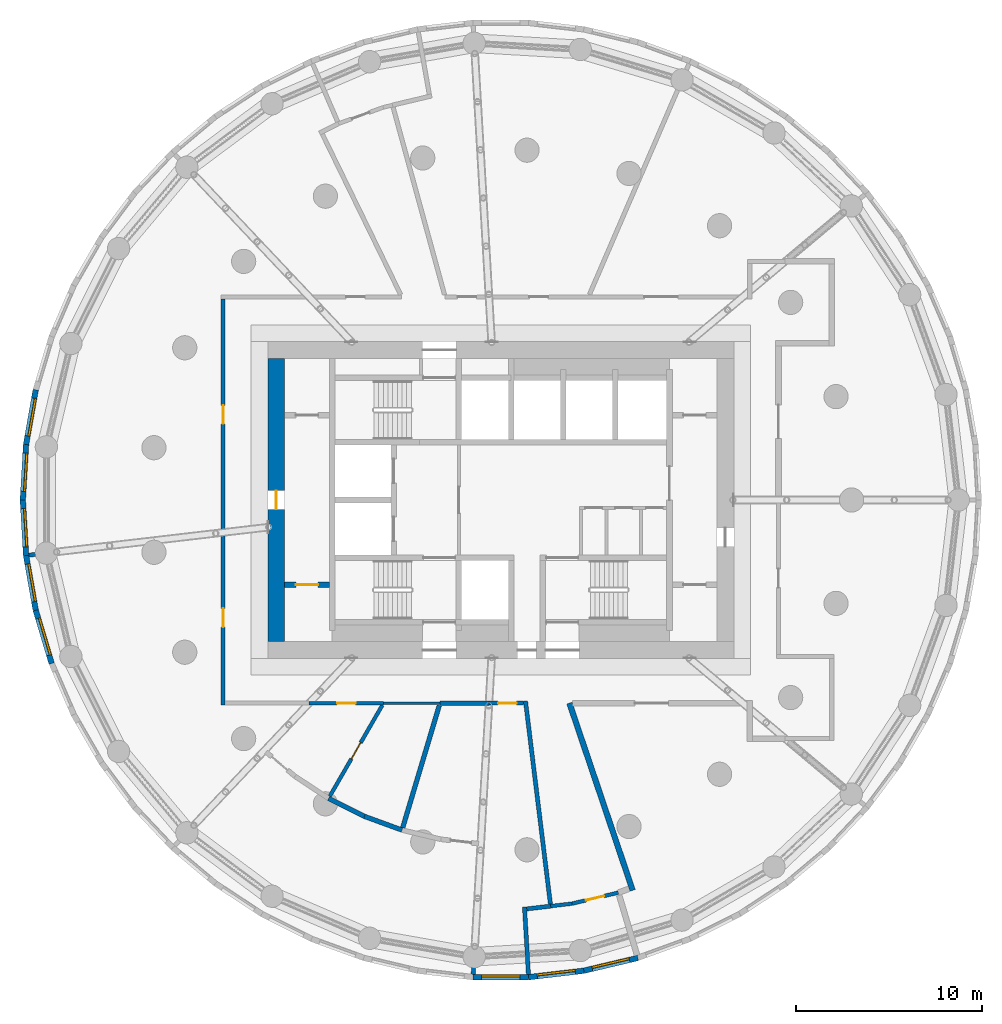
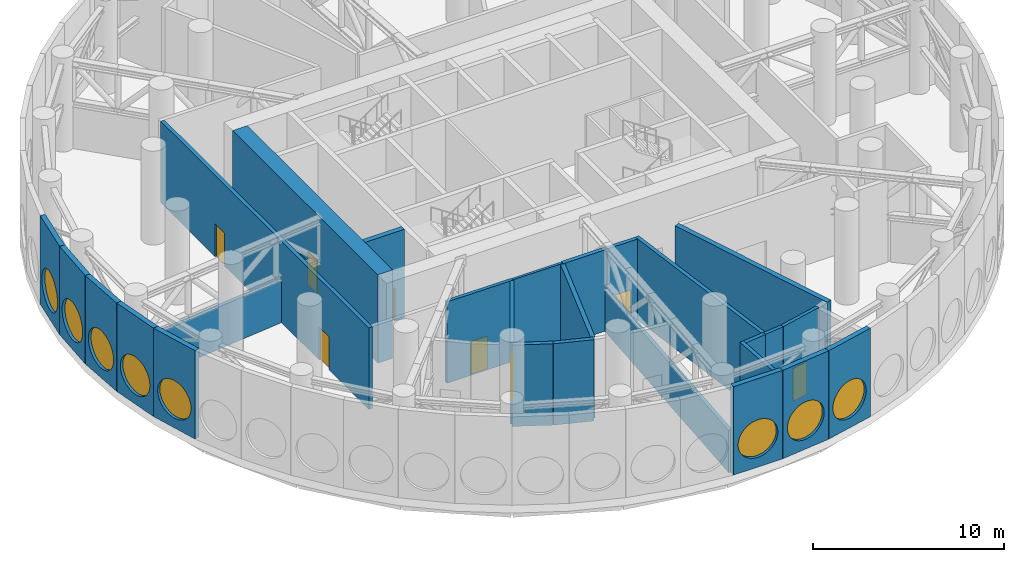
# One storey, part 8 of 15: 27 walls, 8 doors, 8 windows, 16 openings.
"""IFC4 building model written with IfcOpenShell, lengths in metres."""

from ifc_helpers import new_model, si_unit, direction, frame, frame_2d, origin, origin_2d, place, context, subcontext, project, spatial, rectangle, circle, extrude, material, layer, layer_set, type_object, element, fill, save


model = new_model("IFC4")

# Units and contexts
model_context = context("Model", 3, precision=1e-05, world=origin(), true_north=direction((0.0, 1.0)))
body_context = subcontext(model_context, "Body", "Model", "MODEL_VIEW")
ifc_project = project(units=[si_unit("LENGTHUNIT", "METRE"), si_unit("AREAUNIT", "SQUARE_METRE"), si_unit("VOLUMEUNIT", "CUBIC_METRE"), si_unit("PLANEANGLEUNIT", "RADIAN"), si_unit("MASSUNIT", "GRAM", prefix="KILO")], contexts=[model_context])

# Site, building, storey
site_placement = place(None, origin())
site = spatial("IfcSite", under=ifc_project, at=site_placement, CompositionType="ELEMENT")
building_placement = place(site_placement, origin())
building = spatial("IfcBuilding", under=site, at=building_placement, Name="Tracery Tower", CompositionType="ELEMENT")
storey_placement = place(building_placement, frame((0.0, 0.0, 225.0)))
storey = spatial("IfcBuildingStorey", under=building, at=storey_placement, Name="L58 Plant", CompositionType="ELEMENT", Elevation=225.0)

# Wall, opening, door
ifc_material_1 = material(Name="Concrete C50/60", Category="concrete")
ifc_layer_1 = layer(ifc_material_1, 0.89990234375)
ifc_layer_set_1 = layer_set([ifc_layer_1], Name="Core wall 900 C50")
wall_type_1 = type_object("IfcWallType", Name="Core wall 900 C50", PredefinedType="SOLIDWALL", material=ifc_layer_set_1)
wall_1_placement = place(storey_placement, frame((-12.050048828125, -7.60009765625, 0.0), z_axis=(0.0, 0.0, 1.0), x_axis=(0.0, 1.0, 0.0)))
wall_1 = element("IfcWall", 1, at=wall_1_placement, inside=storey, type_object=wall_type_1, Name="L58 Plant outer W", PredefinedType="SOLIDWALL", context=body_context, shape_type="SweptSolid", body=[
    extrude(rectangle(XDim=15.2001953125, YDim=0.89990234375, at=frame_2d((7.60009765625, 0.0))), origin(), (0.0, 0.0, 1.0), 5.64990234375),
])
opening_1_placement = place(wall_1_placement, frame((7.10009765625, 0.0, 0.0)))
opening_1 = element("IfcOpeningElement", 2, at=opening_1_placement, cuts=wall_1, Name="Opening KD18", PredefinedType="OPENING", context=body_context, shape_type="SweptSolid", body=[
    extrude(rectangle(XDim=1.0, YDim=2.10009765625, at=frame_2d((0.5, 1.050048828125))), frame((0.0, 0.449951171875, 0.0), z_axis=(0.0, -1.0, 0.0), x_axis=(1.0, 0.0, 0.0)), (0.0, 0.0, 1.0), 0.89990234375),
])
ifc_material_2 = material(Name="Steel fire door", Category="steel")
door_type_1 = type_object("IfcDoorType", Name="Core exit door 1000", OperationType="NOTDEFINED", PredefinedType="DOOR", material=ifc_material_2)
door_1_placement = place(opening_1_placement, origin())
door_1 = element("IfcDoor", 3, at=door_1_placement, inside=storey, type_object=door_type_1, Name="Core exit door", OperationType="DOUBLE_DOOR_SINGLE_SWING", OverallHeight=2.10009765625, OverallWidth=1.0, PredefinedType="DOOR", context=body_context, shape_type="SweptSolid", body=[
    extrude(rectangle(XDim=1.0, YDim=2.10009765625, at=frame_2d((0.5, 1.050048828125))), frame((0.0, 0.02490234375, 0.0), z_axis=(0.0, -1.0, 0.0), x_axis=(1.0, 0.0, 0.0)), (0.0, 0.0, 1.0), 0.050048828125),
])
fill(opening_1, door_1)

# Wall
ifc_material_3 = material(Name="Plasterboard on steel studs", Category="steel")
ifc_layer_2 = layer(ifc_material_3, 0.14990234375)
ifc_layer_set_2 = layer_set([ifc_layer_2], Name="Corridor partition 150")
wall_type_2 = type_object("IfcWallType", Name="Corridor partition 150", PredefinedType="PARTITIONING", material=ifc_layer_set_2)
wall_2_placement = place(storey_placement, frame((-6.293212890625, -10.89990234375, 0.0), z_axis=(0.0, 0.0, 1.0), x_axis=(1.0, 0.0, 0.0)))
element("IfcWall", 4, at=wall_2_placement, inside=storey, type_object=wall_type_2, Name="Corridor partition 150", PredefinedType="PARTITIONING", context=body_context, shape_type="SweptSolid", body=[
    extrude(rectangle(XDim=3.030029296875, YDim=0.14990234375, at=frame_2d((1.51513671875, 0.0))), origin(), (0.0, 0.0, 1.0), 5.199951171875),
])

# Wall, opening, door
ifc_material_4 = material(Name="Concrete blockwork", Category="masonry")
ifc_layer_3 = layer(ifc_material_4, 0.199951171875)
ifc_layer_set_3 = layer_set([ifc_layer_3], Name="Fire lobby wall 200")
wall_type_3 = type_object("IfcWallType", Name="Fire lobby wall 200", PredefinedType="PARTITIONING", material=ifc_layer_set_3)
wall_3_placement = place(storey_placement, frame((-10.28369140625, -10.89990234375, 0.0), z_axis=(0.0, 0.0, 1.0), x_axis=(1.0, 0.0, 0.0)))
wall_3 = element("IfcWall", 5, at=wall_3_placement, inside=storey, type_object=wall_type_3, Name="Fire lobby wall 200", PredefinedType="PARTITIONING", context=body_context, shape_type="SweptSolid", body=[
    extrude(rectangle(XDim=3.990478515625, YDim=0.199951171875, at=frame_2d((1.9951171875, 0.0))), origin(), (0.0, 0.0, 1.0), 5.199951171875),
])
opening_2_placement = place(wall_3_placement, frame((1.495361328125, 0.0, 0.0)))
opening_2 = element("IfcOpeningElement", 6, at=opening_2_placement, cuts=wall_3, Name="Opening SB-P58-13", PredefinedType="OPENING", context=body_context, shape_type="SweptSolid", body=[
    extrude(rectangle(XDim=1.0, YDim=2.10009765625, at=frame_2d((0.5, 1.050048828125))), frame((0.0, 0.10009765625, 0.0), z_axis=(0.0, -1.0, 0.0), x_axis=(1.0, 0.0, 0.0)), (0.0, 0.0, 1.0), 0.199951171875),
])
ifc_material_5 = material(Name="Steel fire door", Category="steel")
door_type_2 = type_object("IfcDoorType", Name="Fire lobby door 1000", OperationType="NOTDEFINED", PredefinedType="DOOR", material=ifc_material_5)
door_2_placement = place(opening_2_placement, origin())
door_2 = element("IfcDoor", 7, at=door_2_placement, inside=storey, type_object=door_type_2, Name="Fire lobby door 1000", OperationType="SINGLE_SWING_LEFT", OverallHeight=2.10009765625, OverallWidth=1.0, PredefinedType="DOOR", context=body_context, shape_type="SweptSolid", body=[
    extrude(rectangle(XDim=1.0, YDim=2.10009765625, at=frame_2d((0.5, 1.050048828125))), frame((0.0, 0.02490234375, 0.0), z_axis=(0.0, -1.0, 0.0), x_axis=(1.0, 0.0, 0.0)), (0.0, 0.0, 1.0), 0.050048828125),
])
fill(opening_2, door_2)

wall_4_placement = place(storey_placement, frame((-6.350830078125, -11.0, 0.0), z_axis=(0.0, 0.0, 1.0), x_axis=(-0.500013765421, -0.866017456169, 0.0)))
wall_4 = element("IfcWall", 8, at=wall_4_placement, inside=storey, type_object=wall_type_3, Name="Fire lobby wall 200", PredefinedType="PARTITIONING", context=body_context, shape_type="SweptSolid", body=[
    extrude(rectangle(XDim=5.658447265625, YDim=0.199951171875, at=frame_2d((2.8291015625, 0.0))), origin(), (0.0, 0.0, 1.0), 5.199951171875),
])
opening_3_placement = place(wall_4_placement, frame((2.333984375, 0.0, 0.0)))
opening_3 = element("IfcOpeningElement", 9, at=opening_3_placement, cuts=wall_4, Name="Opening SB-P58-16", PredefinedType="OPENING", context=body_context, shape_type="SweptSolid", body=[
    extrude(rectangle(XDim=1.0, YDim=2.10009765625, at=frame_2d((0.5, 1.050048828125))), frame((0.0, 0.10009765625, 0.0), z_axis=(0.0, -1.0, 0.0), x_axis=(1.0, 0.0, 0.0)), (0.0, 0.0, 1.0), 0.199951171875),
])
ifc_material_6 = material(Name="Timber door leaf", Category="wood")
door_type_3 = type_object("IfcDoorType", Name="Accessible toilet door 1000", OperationType="NOTDEFINED", PredefinedType="DOOR", material=ifc_material_6)
door_3_placement = place(opening_3_placement, origin())
door_3 = element("IfcDoor", 10, at=door_3_placement, inside=storey, type_object=door_type_3, Name="Accessible toilet door 1000", OperationType="SINGLE_SWING_RIGHT", OverallHeight=2.10009765625, OverallWidth=1.0, PredefinedType="DOOR", context=body_context, shape_type="SweptSolid", body=[
    extrude(rectangle(XDim=1.0, YDim=2.10009765625, at=frame_2d((0.5, 1.050048828125))), frame((0.0, 0.02490234375, 0.0), z_axis=(0.0, -1.0, 0.0), x_axis=(1.0, 0.0, 0.0)), (0.0, 0.0, 1.0), 0.050048828125),
])
fill(opening_3, door_3)

# Wall
wall_5_placement = place(storey_placement, frame((2.67578125, -21.790771484375, 0.0), z_axis=(0.0, 0.0, 1.0), x_axis=(0.99324154859, 0.116065611425, 0.0)))
element("IfcWall", 11, at=wall_5_placement, inside=storey, type_object=wall_type_3, Name="Fire lobby wall 200", PredefinedType="PARTITIONING", context=body_context, shape_type="SweptSolid", body=[
    extrude(rectangle(XDim=1.150634765625, YDim=0.199951171875, at=frame_2d((0.5751953125, 0.0))), origin(), (0.0, 0.0, 1.0), 5.199951171875),
])

# Wall, opening, door
wall_6_placement = place(storey_placement, frame((6.30712890625, -21.0673828125, 0.0), z_axis=(0.0, 0.0, 1.0), x_axis=(-0.973040272851, -0.230635269225, 0.0)))
wall_6 = element("IfcWall", 12, at=wall_6_placement, inside=storey, type_object=wall_type_3, Name="Fire lobby wall 200", PredefinedType="PARTITIONING", context=body_context, shape_type="SweptSolid", body=[
    extrude(rectangle(XDim=2.557373046875, YDim=0.199951171875, at=frame_2d((1.27880859375, 0.0))), origin(), (0.0, 0.0, 1.0), 5.199951171875),
])
opening_4_placement = place(wall_6_placement, frame((0.77880859375, 0.0, 0.0)))
opening_4 = element("IfcOpeningElement", 13, at=opening_4_placement, cuts=wall_6, Name="Opening SB-P58-08", PredefinedType="OPENING", context=body_context, shape_type="SweptSolid", body=[
    extrude(rectangle(XDim=1.0, YDim=2.10009765625, at=frame_2d((0.5, 1.050048828125))), frame((0.0, 0.10009765625, 0.0), z_axis=(0.0, -1.0, 0.0), x_axis=(1.0, 0.0, 0.0)), (0.0, 0.0, 1.0), 0.199951171875),
])
door_4_placement = place(opening_4_placement, origin())
door_4 = element("IfcDoor", 14, at=door_4_placement, inside=storey, type_object=door_type_2, Name="Fire lobby door 1000", OperationType="SINGLE_SWING_RIGHT", OverallHeight=2.10009765625, OverallWidth=1.0, PredefinedType="DOOR", context=body_context, shape_type="SweptSolid", body=[
    extrude(rectangle(XDim=1.0, YDim=2.10009765625, at=frame_2d((0.5, 1.050048828125))), frame((0.0, 0.02490234375, 0.0), z_axis=(0.0, -1.0, 0.0), x_axis=(1.0, 0.0, 0.0)), (0.0, 0.0, 1.0), 0.050048828125),
])
fill(opening_4, door_4)

# Wall, opening, window
ifc_material_7 = material(Name="Precast concrete C50/60", Category="concrete")
ifc_layer_4 = layer(ifc_material_7, 0.300048828125)
ifc_layer_set_4 = layer_set([ifc_layer_4], Name="Plant louvre panel 3000 x 5650")
wall_type_4 = type_object("IfcWallType", Name="Plant louvre panel 3000 x 5650", PredefinedType="SOLIDWALL", material=ifc_layer_set_4)
wall_7_placement = place(storey_placement, frame((-24.9560546875, 5.914794921875, 0.0), z_axis=(0.0, 0.0, 1.0), x_axis=(-0.17369661102, -0.984799211677, 0.0)))
wall_7 = element("IfcWall", 15, at=wall_7_placement, inside=storey, type_object=wall_type_4, Name="Plant louvre panel 26 at L58 Plant", PredefinedType="SOLIDWALL", context=body_context, shape_type="SweptSolid", body=[
    extrude(rectangle(XDim=2.982666015625, YDim=0.300048828125, at=frame_2d((1.4912109375, 0.0))), origin(), (0.0, 0.0, 1.0), 5.64990234375),
])
opening_5_placement = place(wall_7_placement, frame((1.4912109375, 0.0, 1.824951171875)))
opening_5 = element("IfcOpeningElement", 16, at=opening_5_placement, cuts=wall_7, Name="Opening LV2", PredefinedType="OPENING", context=body_context, shape_type="SweptSolid", body=[
    extrude(circle(Radius=1.199951171875, at=origin_2d()), frame((0.0, 0.159912109375, 0.0), z_axis=(0.0, -1.0, 0.0), x_axis=(1.0, 0.0, 0.0)), (0.0, 0.0, 1.0), 0.320068359375),
])
ifc_material_8 = material(Name="Aluminium louvre, bronze anodised", Category="aluminium")
window_type = type_object("IfcWindowType", Name="Louvred oculus 2400, sill 625", PartitioningType="SINGLE_PANEL", PredefinedType="WINDOW", material=ifc_material_8)
window_1_placement = place(opening_5_placement, origin())
window_1 = element("IfcWindow", 17, at=window_1_placement, inside=storey, type_object=window_type, Name="Louvred oculus 26 at L58 Plant", OverallHeight=2.39990234375, OverallWidth=2.39990234375, PartitioningType="SINGLE_PANEL", PredefinedType="WINDOW", context=body_context, shape_type="SweptSolid", body=[
    extrude(circle(Radius=1.199951171875, at=origin_2d()), frame((0.0, 0.1201171875, 0.0), z_axis=(0.0, -1.0, 0.0), x_axis=(1.0, 0.0, 0.0)), (0.0, 0.0, 1.0), 0.10009765625),
])
fill(opening_5, window_1)

wall_8_placement = place(storey_placement, frame((-25.47412109375, 2.9775390625, 0.0), z_axis=(0.0, 0.0, 1.0), x_axis=(-0.058117409476, -0.998309754894, 0.0)))
wall_8 = element("IfcWall", 18, at=wall_8_placement, inside=storey, type_object=wall_type_4, Name="Plant louvre panel 27 at L58 Plant", PredefinedType="SOLIDWALL", context=body_context, shape_type="SweptSolid", body=[
    extrude(rectangle(XDim=2.982666015625, YDim=0.300048828125, at=frame_2d((1.4912109375, 0.0))), origin(), (0.0, 0.0, 1.0), 5.64990234375),
])
opening_6_placement = place(wall_8_placement, frame((1.4912109375, 0.0, 1.824951171875)))
opening_6 = element("IfcOpeningElement", 19, at=opening_6_placement, cuts=wall_8, Name="Opening LV2", PredefinedType="OPENING", context=body_context, shape_type="SweptSolid", body=[
    extrude(circle(Radius=1.199951171875, at=origin_2d()), frame((0.0, 0.159912109375, 0.0), z_axis=(0.0, -1.0, 0.0), x_axis=(1.0, 0.0, 0.0)), (0.0, 0.0, 1.0), 0.320068359375),
])
window_2_placement = place(opening_6_placement, origin())
window_2 = element("IfcWindow", 20, at=window_2_placement, inside=storey, type_object=window_type, Name="Louvred oculus 27 at L58 Plant", OverallHeight=2.39990234375, OverallWidth=2.39990234375, PartitioningType="SINGLE_PANEL", PredefinedType="WINDOW", context=body_context, shape_type="SweptSolid", body=[
    extrude(circle(Radius=1.199951171875, at=origin_2d()), frame((0.0, 0.1201171875, 0.0), z_axis=(0.0, -1.0, 0.0), x_axis=(1.0, 0.0, 0.0)), (0.0, 0.0, 1.0), 0.10009765625),
])
fill(opening_6, window_2)

wall_9_placement = place(storey_placement, frame((-25.6474609375, 0.0, 0.0), z_axis=(0.0, 0.0, 1.0), x_axis=(0.058117409476, -0.998309754894, 0.0)))
wall_9 = element("IfcWall", 21, at=wall_9_placement, inside=storey, type_object=wall_type_4, Name="Plant louvre panel 28 at L58 Plant", PredefinedType="SOLIDWALL", context=body_context, shape_type="SweptSolid", body=[
    extrude(rectangle(XDim=2.982666015625, YDim=0.300048828125, at=frame_2d((1.4912109375, 0.0))), origin(), (0.0, 0.0, 1.0), 5.64990234375),
])
opening_7_placement = place(wall_9_placement, frame((1.4912109375, 0.0, 1.824951171875)))
opening_7 = element("IfcOpeningElement", 22, at=opening_7_placement, cuts=wall_9, Name="Opening LV2", PredefinedType="OPENING", context=body_context, shape_type="SweptSolid", body=[
    extrude(circle(Radius=1.199951171875, at=origin_2d()), frame((0.0, 0.159912109375, 0.0), z_axis=(0.0, -1.0, 0.0), x_axis=(1.0, 0.0, 0.0)), (0.0, 0.0, 1.0), 0.320068359375),
])
window_3_placement = place(opening_7_placement, origin())
window_3 = element("IfcWindow", 23, at=window_3_placement, inside=storey, type_object=window_type, Name="Louvred oculus 28 at L58 Plant", OverallHeight=2.39990234375, OverallWidth=2.39990234375, PartitioningType="SINGLE_PANEL", PredefinedType="WINDOW", context=body_context, shape_type="SweptSolid", body=[
    extrude(circle(Radius=1.199951171875, at=origin_2d()), frame((0.0, 0.1201171875, 0.0), z_axis=(0.0, -1.0, 0.0), x_axis=(1.0, 0.0, 0.0)), (0.0, 0.0, 1.0), 0.10009765625),
])
fill(opening_7, window_3)

wall_10_placement = place(storey_placement, frame((-25.47412109375, -2.9775390625, 0.0), z_axis=(0.0, 0.0, 1.0), x_axis=(0.17369661102, -0.984799211677, 0.0)))
wall_10 = element("IfcWall", 24, at=wall_10_placement, inside=storey, type_object=wall_type_4, Name="Plant louvre panel 29 at L58 Plant", PredefinedType="SOLIDWALL", context=body_context, shape_type="SweptSolid", body=[
    extrude(rectangle(XDim=2.982666015625, YDim=0.300048828125, at=frame_2d((1.4912109375, 0.0))), origin(), (0.0, 0.0, 1.0), 5.64990234375),
])
opening_8_placement = place(wall_10_placement, frame((1.4912109375, 0.0, 1.824951171875)))
opening_8 = element("IfcOpeningElement", 25, at=opening_8_placement, cuts=wall_10, Name="Opening LV2", PredefinedType="OPENING", context=body_context, shape_type="SweptSolid", body=[
    extrude(circle(Radius=1.199951171875, at=origin_2d()), frame((0.0, 0.159912109375, 0.0), z_axis=(0.0, -1.0, 0.0), x_axis=(1.0, 0.0, 0.0)), (0.0, 0.0, 1.0), 0.320068359375),
])
window_4_placement = place(opening_8_placement, origin())
window_4 = element("IfcWindow", 26, at=window_4_placement, inside=storey, type_object=window_type, Name="Louvred oculus 29 at L58 Plant", OverallHeight=2.39990234375, OverallWidth=2.39990234375, PartitioningType="SINGLE_PANEL", PredefinedType="WINDOW", context=body_context, shape_type="SweptSolid", body=[
    extrude(circle(Radius=1.199951171875, at=origin_2d()), frame((0.0, 0.1201171875, 0.0), z_axis=(0.0, -1.0, 0.0), x_axis=(1.0, 0.0, 0.0)), (0.0, 0.0, 1.0), 0.10009765625),
])
fill(opening_8, window_4)

wall_11_placement = place(storey_placement, frame((-24.9560546875, -5.914794921875, 0.0), z_axis=(0.0, 0.0, 1.0), x_axis=(0.286754535355, -0.958004089998, 0.0)))
wall_11 = element("IfcWall", 27, at=wall_11_placement, inside=storey, type_object=wall_type_4, Name="Plant louvre panel 30 at L58 Plant", PredefinedType="SOLIDWALL", context=body_context, shape_type="SweptSolid", body=[
    extrude(rectangle(XDim=2.982421875, YDim=0.300048828125, at=frame_2d((1.4912109375, 0.0))), origin(), (0.0, 0.0, 1.0), 5.64990234375),
])
opening_9_placement = place(wall_11_placement, frame((1.4912109375, 0.0, 1.824951171875)))
opening_9 = element("IfcOpeningElement", 28, at=opening_9_placement, cuts=wall_11, Name="Opening LV2", PredefinedType="OPENING", context=body_context, shape_type="SweptSolid", body=[
    extrude(circle(Radius=1.199951171875, at=origin_2d()), frame((0.0, 0.159912109375, 0.0), z_axis=(0.0, -1.0, 0.0), x_axis=(1.0, 0.0, 0.0)), (0.0, 0.0, 1.0), 0.320068359375),
])
window_5_placement = place(opening_9_placement, origin())
window_5 = element("IfcWindow", 29, at=window_5_placement, inside=storey, type_object=window_type, Name="Louvred oculus 30 at L58 Plant", OverallHeight=2.39990234375, OverallWidth=2.39990234375, PartitioningType="SINGLE_PANEL", PredefinedType="WINDOW", context=body_context, shape_type="SweptSolid", body=[
    extrude(circle(Radius=1.199951171875, at=origin_2d()), frame((0.0, 0.1201171875, 0.0), z_axis=(0.0, -1.0, 0.0), x_axis=(1.0, 0.0, 0.0)), (0.0, 0.0, 1.0), 0.10009765625),
])
fill(opening_9, window_5)

wall_12_placement = place(storey_placement, frame((-1.4912109375, -25.60400390625, 0.0), z_axis=(0.0, 0.0, 1.0), x_axis=(1.0, 0.0, 0.0)))
wall_12 = element("IfcWall", 30, at=wall_12_placement, inside=storey, type_object=wall_type_4, Name="Plant louvre panel 41 at L58 Plant", PredefinedType="SOLIDWALL", context=body_context, shape_type="SweptSolid", body=[
    extrude(rectangle(XDim=2.982421875, YDim=0.300048828125, at=frame_2d((1.4912109375, 0.0))), origin(), (0.0, 0.0, 1.0), 5.64990234375),
])
opening_10_placement = place(wall_12_placement, frame((1.4912109375, 0.0, 1.824951171875)))
opening_10 = element("IfcOpeningElement", 31, at=opening_10_placement, cuts=wall_12, Name="Opening LV2", PredefinedType="OPENING", context=body_context, shape_type="SweptSolid", body=[
    extrude(circle(Radius=1.199951171875, at=origin_2d()), frame((0.0, 0.159912109375, 0.0), z_axis=(0.0, -1.0, 0.0), x_axis=(1.0, 0.0, 0.0)), (0.0, 0.0, 1.0), 0.320068359375),
])
window_6_placement = place(opening_10_placement, origin())
window_6 = element("IfcWindow", 32, at=window_6_placement, inside=storey, type_object=window_type, Name="Louvred oculus 41 at L58 Plant", OverallHeight=2.39990234375, OverallWidth=2.39990234375, PartitioningType="SINGLE_PANEL", PredefinedType="WINDOW", context=body_context, shape_type="SweptSolid", body=[
    extrude(circle(Radius=1.199951171875, at=origin_2d()), frame((0.0, 0.1201171875, 0.0), z_axis=(0.0, -1.0, 0.0), x_axis=(1.0, 0.0, 0.0)), (0.0, 0.0, 1.0), 0.10009765625),
])
fill(opening_10, window_6)

wall_13_placement = place(storey_placement, frame((1.4912109375, -25.60400390625, 0.0), z_axis=(0.0, 0.0, 1.0), x_axis=(0.993240822844, 0.116071821888, 0.0)))
wall_13 = element("IfcWall", 33, at=wall_13_placement, inside=storey, type_object=wall_type_4, Name="Plant louvre panel 42 at L58 Plant", PredefinedType="SOLIDWALL", context=body_context, shape_type="SweptSolid", body=[
    extrude(rectangle(XDim=2.982666015625, YDim=0.300048828125, at=frame_2d((1.4912109375, 0.0))), origin(), (0.0, 0.0, 1.0), 5.64990234375),
])
opening_11_placement = place(wall_13_placement, frame((1.4912109375, 0.0, 1.824951171875)))
opening_11 = element("IfcOpeningElement", 34, at=opening_11_placement, cuts=wall_13, Name="Opening LV2", PredefinedType="OPENING", context=body_context, shape_type="SweptSolid", body=[
    extrude(circle(Radius=1.199951171875, at=origin_2d()), frame((0.0, 0.159912109375, 0.0), z_axis=(0.0, -1.0, 0.0), x_axis=(1.0, 0.0, 0.0)), (0.0, 0.0, 1.0), 0.320068359375),
])
window_7_placement = place(opening_11_placement, origin())
window_7 = element("IfcWindow", 35, at=window_7_placement, inside=storey, type_object=window_type, Name="Louvred oculus 42 at L58 Plant", OverallHeight=2.39990234375, OverallWidth=2.39990234375, PartitioningType="SINGLE_PANEL", PredefinedType="WINDOW", context=body_context, shape_type="SweptSolid", body=[
    extrude(circle(Radius=1.199951171875, at=origin_2d()), frame((0.0, 0.1201171875, 0.0), z_axis=(0.0, -1.0, 0.0), x_axis=(1.0, 0.0, 0.0)), (0.0, 0.0, 1.0), 0.10009765625),
])
fill(opening_11, window_7)

wall_14_placement = place(storey_placement, frame((4.45361328125, -25.2578125, 0.0), z_axis=(0.0, 0.0, 1.0), x_axis=(0.973049843813, 0.230594886012, 0.0)))
wall_14 = element("IfcWall", 36, at=wall_14_placement, inside=storey, type_object=wall_type_4, Name="Plant louvre panel 43 at L58 Plant", PredefinedType="SOLIDWALL", context=body_context, shape_type="SweptSolid", body=[
    extrude(rectangle(XDim=2.982421875, YDim=0.300048828125, at=frame_2d((1.4912109375, 0.0))), origin(), (0.0, 0.0, 1.0), 5.64990234375),
])
opening_12_placement = place(wall_14_placement, frame((1.4912109375, 0.0, 1.824951171875)))
opening_12 = element("IfcOpeningElement", 37, at=opening_12_placement, cuts=wall_14, Name="Opening LV2", PredefinedType="OPENING", context=body_context, shape_type="SweptSolid", body=[
    extrude(circle(Radius=1.199951171875, at=origin_2d()), frame((0.0, 0.159912109375, 0.0), z_axis=(0.0, -1.0, 0.0), x_axis=(1.0, 0.0, 0.0)), (0.0, 0.0, 1.0), 0.320068359375),
])
window_8_placement = place(opening_12_placement, origin())
window_8 = element("IfcWindow", 38, at=window_8_placement, inside=storey, type_object=window_type, Name="Louvred oculus 43 at L58 Plant", OverallHeight=2.39990234375, OverallWidth=2.39990234375, PartitioningType="SINGLE_PANEL", PredefinedType="WINDOW", context=body_context, shape_type="SweptSolid", body=[
    extrude(circle(Radius=1.199951171875, at=origin_2d()), frame((0.0, 0.1201171875, 0.0), z_axis=(0.0, -1.0, 0.0), x_axis=(1.0, 0.0, 0.0)), (0.0, 0.0, 1.0), 0.10009765625),
])
fill(opening_12, window_8)

# Wall, openings, doors
ifc_material_9 = material(Name="Concrete blockwork", Category="masonry")
ifc_layer_5 = layer(ifc_material_9, 0.22509765625)
ifc_layer_set_5 = layer_set([ifc_layer_5], Name="Plant room block wall 225")
wall_type_5 = type_object("IfcWallType", Name="Plant room block wall 225", PredefinedType="PARTITIONING", material=ifc_layer_set_5)
wall_15_placement = place(storey_placement, frame((-14.89990234375, 10.78759765625, 0.0), z_axis=(0.0, 0.0, 1.0), x_axis=(0.0, -1.0, 0.0)))
wall_15 = element("IfcWall", 39, at=wall_15_placement, inside=storey, type_object=wall_type_5, Name="Plant room block wall 225", PredefinedType="PARTITIONING", context=body_context, shape_type="SweptSolid", body=[
    extrude(rectangle(XDim=21.800048828125, YDim=0.22509765625, at=frame_2d((10.89990234375, 0.0))), origin(), (0.0, 0.0, 1.0), 5.199951171875),
])
opening_13_placement = place(wall_15_placement, frame((5.708251953125, 0.0, 0.0)))
opening_13 = element("IfcOpeningElement", 40, at=opening_13_placement, cuts=wall_15, Name="Opening SB-P58-04", PredefinedType="OPENING", context=body_context, shape_type="SweptSolid", body=[
    extrude(rectangle(XDim=1.0, YDim=2.10009765625, at=frame_2d((0.5, 1.050048828125))), frame((0.0, 0.112548828125, 0.0), z_axis=(0.0, -1.0, 0.0), x_axis=(1.0, 0.0, 0.0)), (0.0, 0.0, 1.0), 0.22509765625),
])
opening_14_placement = place(wall_15_placement, frame((16.6083984375, 0.0, 0.0)))
opening_14 = element("IfcOpeningElement", 41, at=opening_14_placement, cuts=wall_15, Name="Opening SB-P58-05", PredefinedType="OPENING", context=body_context, shape_type="SweptSolid", body=[
    extrude(rectangle(XDim=1.0, YDim=2.10009765625, at=frame_2d((0.5, 1.050048828125))), frame((0.0, 0.112548828125, 0.0), z_axis=(0.0, -1.0, 0.0), x_axis=(1.0, 0.0, 0.0)), (0.0, 0.0, 1.0), 0.22509765625),
])
ifc_material_10 = material(Name="Steel fire door", Category="steel")
door_type_4 = type_object("IfcDoorType", Name="Plant room door 1000", OperationType="NOTDEFINED", PredefinedType="DOOR", material=ifc_material_10)
door_5_placement = place(opening_13_placement, origin())
door_5 = element("IfcDoor", 42, at=door_5_placement, inside=storey, type_object=door_type_4, Name="Plant room door 1000", OperationType="SINGLE_SWING_LEFT", OverallHeight=2.10009765625, OverallWidth=1.0, PredefinedType="DOOR", context=body_context, shape_type="SweptSolid", body=[
    extrude(rectangle(XDim=1.0, YDim=2.10009765625, at=frame_2d((0.5, 1.050048828125))), frame((0.0, 0.02490234375, 0.0), z_axis=(0.0, -1.0, 0.0), x_axis=(1.0, 0.0, 0.0)), (0.0, 0.0, 1.0), 0.050048828125),
])
fill(opening_13, door_5)
door_6_placement = place(opening_14_placement, origin())
door_6 = element("IfcDoor", 43, at=door_6_placement, inside=storey, type_object=door_type_4, Name="Plant room door 1000", OperationType="SINGLE_SWING_LEFT", OverallHeight=2.10009765625, OverallWidth=1.0, PredefinedType="DOOR", context=body_context, shape_type="SweptSolid", body=[
    extrude(rectangle(XDim=1.0, YDim=2.10009765625, at=frame_2d((0.5, 1.050048828125))), frame((0.0, 0.02490234375, 0.0), z_axis=(0.0, -1.0, 0.0), x_axis=(1.0, 0.0, 0.0)), (0.0, 0.0, 1.0), 0.050048828125),
])
fill(opening_14, door_6)

# Wall, opening, door
wall_16_placement = place(storey_placement, frame((-0.635009765625, -10.89990234375, 0.0), z_axis=(0.0, 0.0, 1.0), x_axis=(1.0, 0.0, 0.0)))
wall_16 = element("IfcWall", 44, at=wall_16_placement, inside=storey, type_object=wall_type_5, Name="Plant room block wall 225", PredefinedType="PARTITIONING", context=body_context, shape_type="SweptSolid", body=[
    extrude(rectangle(XDim=1.86083984375, YDim=0.22509765625, at=frame_2d((0.930419921875, 0.0))), origin(), (0.0, 0.0, 1.0), 5.199951171875),
])
opening_15_placement = place(wall_16_placement, frame((0.48681640625, 0.0, 0.0)))
opening_15 = element("IfcOpeningElement", 45, at=opening_15_placement, cuts=wall_16, Name="Opening SB-P58-11", PredefinedType="OPENING", context=body_context, shape_type="SweptSolid", body=[
    extrude(rectangle(XDim=1.0, YDim=2.10009765625, at=frame_2d((0.5, 1.050048828125))), frame((0.0, 0.112548828125, 0.0), z_axis=(0.0, -1.0, 0.0), x_axis=(1.0, 0.0, 0.0)), (0.0, 0.0, 1.0), 0.22509765625),
])
door_7_placement = place(opening_15_placement, origin())
door_7 = element("IfcDoor", 46, at=door_7_placement, inside=storey, type_object=door_type_4, Name="Plant room door 1000", OperationType="SINGLE_SWING_LEFT", OverallHeight=2.10009765625, OverallWidth=1.0, PredefinedType="DOOR", context=body_context, shape_type="SweptSolid", body=[
    extrude(rectangle(XDim=1.0, YDim=2.10009765625, at=frame_2d((0.5, 1.050048828125))), frame((0.0, 0.02490234375, 0.0), z_axis=(0.0, -1.0, 0.0), x_axis=(1.0, 0.0, 0.0)), (0.0, 0.0, 1.0), 0.050048828125),
])
fill(opening_15, door_7)

# Walls
wall_17_placement = place(storey_placement, frame((1.390380859375, -21.94091796875, 0.0), z_axis=(0.0, 0.0, 1.0), x_axis=(0.993246843988, 0.11602028662, 0.0)))
element("IfcWall", 47, at=wall_17_placement, inside=storey, type_object=wall_type_5, Name="Plant room block wall 225", PredefinedType="PARTITIONING", context=body_context, shape_type="SweptSolid", body=[
    extrude(rectangle(XDim=1.294189453125, YDim=0.22509765625, at=frame_2d((0.64697265625, 0.0))), origin(), (0.0, 0.0, 1.0), 5.199951171875),
])
wall_18_placement = place(storey_placement, frame((1.482421875, -25.4541015625, 0.0), z_axis=(0.0, 0.0, 1.0), x_axis=(-0.058093127589, 0.998311168187, 0.0)))
element("IfcWall", 48, at=wall_18_placement, inside=storey, type_object=wall_type_5, Name="Plant room block wall 225", PredefinedType="PARTITIONING", context=body_context, shape_type="SweptSolid", body=[
    extrude(rectangle(XDim=3.618408203125, YDim=0.22509765625, at=frame_2d((1.80908203125, 0.0))), origin(), (0.0, 0.0, 1.0), 5.199951171875),
])
wall_19_placement = place(storey_placement, frame((2.662109375, -21.67919921875, 0.0), z_axis=(0.0, 0.0, 1.0), x_axis=(-0.121884764191, 0.992544258085, 0.0)))
element("IfcWall", 49, at=wall_19_placement, inside=storey, type_object=wall_type_5, Name="Plant room block wall 225", PredefinedType="PARTITIONING", context=body_context, shape_type="SweptSolid", body=[
    extrude(rectangle(XDim=10.97265625, YDim=0.22509765625, at=frame_2d((5.486328125, 0.0))), origin(), (0.0, 0.0, 1.0), 5.199951171875),
])
ifc_material_11 = material(Name="Concrete blockwork", Category="masonry")
ifc_layer_6 = layer(ifc_material_11, 0.22509765625)
ifc_layer_set_6 = layer_set([ifc_layer_6], Name="Plant wall under outrigger truss 225")
wall_type_6 = type_object("IfcWallType", Name="Plant wall under outrigger truss 225", PredefinedType="PARTITIONING", material=ifc_layer_set_6)
wall_20_placement = place(storey_placement, frame((-25.32470703125, -2.9599609375, 0.0), z_axis=(0.0, 0.0, 1.0), x_axis=(0.993240732078, 0.116072598582, 0.0)))
element("IfcWall", 50, at=wall_20_placement, inside=storey, type_object=wall_type_6, Name="Plant wall under outrigger truss 225", PredefinedType="PARTITIONING", context=body_context, shape_type="SweptSolid", body=[
    extrude(rectangle(XDim=10.375732421875, YDim=0.22509765625, at=frame_2d((5.18798828125, 0.0))), origin(), (0.0, 0.0, 1.0), 2.699951171875),
])
wall_21_placement = place(storey_placement, frame((-1.482421875, -25.4541015625, 0.0), z_axis=(0.0, 0.0, 1.0), x_axis=(0.058139787004, 0.998308451916, 0.0)))
element("IfcWall", 51, at=wall_21_placement, inside=storey, type_object=wall_type_6, Name="Plant wall under outrigger truss 225", PredefinedType="PARTITIONING", context=body_context, shape_type="SweptSolid", body=[
    extrude(rectangle(XDim=14.45361328125, YDim=0.22509765625, at=frame_2d((7.226806640625, 0.0))), origin(), (0.0, 0.0, 1.0), 2.699951171875),
])
ifc_material_12 = material(Name="Concrete blockwork", Category="masonry")
ifc_layer_7 = layer(ifc_material_12, 0.25)
ifc_layer_set_7 = layer_set([ifc_layer_7], Name="Refuge block wall 250")
wall_type_7 = type_object("IfcWallType", Name="Refuge block wall 250", PredefinedType="PARTITIONING", material=ifc_layer_set_7)
wall_22_placement = place(storey_placement, frame((-9.24267578125, -16.0087890625, 0.0), z_axis=(0.0, 0.0, 1.0), x_axis=(0.893653507888, -0.448757627055, 0.0)))
element("IfcWall", 52, at=wall_22_placement, inside=storey, type_object=wall_type_7, Name="Refuge block wall 250", PredefinedType="PARTITIONING", context=body_context, shape_type="SweptSolid", body=[
    extrude(rectangle(XDim=2.1494140625, YDim=0.25, at=frame_2d((1.07470703125, 0.0))), origin(), (0.0, 0.0, 1.0), 5.199951171875),
])
wall_23_placement = place(storey_placement, frame((-7.32177734375, -16.973388671875, 0.0), z_axis=(0.0, 0.0, 1.0), x_axis=(0.93967399384, -0.342071316104, 0.0)))
element("IfcWall", 53, at=wall_23_placement, inside=storey, type_object=wall_type_7, Name="Refuge block wall 250", PredefinedType="PARTITIONING", context=body_context, shape_type="SweptSolid", body=[
    extrude(rectangle(XDim=2.149658203125, YDim=0.25, at=frame_2d((1.07470703125, 0.0))), origin(), (0.0, 0.0, 1.0), 5.199951171875),
])
wall_24_placement = place(storey_placement, frame((-5.265869140625, -17.5888671875, 0.0), z_axis=(0.0, 0.0, 1.0), x_axis=(0.286831354486, 0.957981092759, 0.0)))
element("IfcWall", 54, at=wall_24_placement, inside=storey, type_object=wall_type_7, Name="Refuge block wall 250", PredefinedType="PARTITIONING", context=body_context, shape_type="SweptSolid", body=[
    extrude(rectangle(XDim=6.851806640625, YDim=0.25, at=frame_2d((3.42578125, 0.0))), origin(), (0.0, 0.0, 1.0), 5.199951171875),
])
wall_25_placement = place(storey_placement, frame((-3.26318359375, -10.89990234375, 0.0), z_axis=(0.0, 0.0, 1.0), x_axis=(1.0, 0.0, 0.0)))
element("IfcWall", 55, at=wall_25_placement, inside=storey, type_object=wall_type_7, Name="Refuge block wall 250", PredefinedType="PARTITIONING", context=body_context, shape_type="SweptSolid", body=[
    extrude(rectangle(XDim=2.628173828125, YDim=0.25, at=frame_2d((1.31396484375, 0.0))), origin(), (0.0, 0.0, 1.0), 5.199951171875),
])

# Wall, opening, door
ifc_material_13 = material(Name="Concrete C50/60", Category="concrete")
ifc_layer_8 = layer(ifc_material_13, 0.300048828125)
ifc_layer_set_8 = layer_set([ifc_layer_8], Name="Shaft wall 300 C50")
wall_type_8 = type_object("IfcWallType", Name="Shaft wall 300 C50", PredefinedType="SOLIDWALL", material=ifc_layer_set_8)
wall_26_placement = place(storey_placement, frame((-11.60009765625, -4.550048828125, 0.0), z_axis=(0.0, 0.0, 1.0), x_axis=(1.0, 0.0, 0.0)))
wall_26 = element("IfcWall", 56, at=wall_26_placement, inside=storey, type_object=wall_type_8, Name="L58 Plant MR W -4.55", PredefinedType="SOLIDWALL", context=body_context, shape_type="SweptSolid", body=[
    extrude(rectangle(XDim=2.400146484375, YDim=0.300048828125, at=frame_2d((1.2001953125, 0.0))), origin(), (0.0, 0.0, 1.0), 5.64990234375),
])
opening_16_placement = place(wall_26_placement, frame((0.60009765625, 0.0, 0.0)))
opening_16 = element("IfcOpeningElement", 57, at=opening_16_placement, cuts=wall_26, Name="Opening KD41", PredefinedType="OPENING", context=body_context, shape_type="SweptSolid", body=[
    extrude(rectangle(XDim=1.199951171875, YDim=2.10009765625, at=frame_2d((0.60009765625, 1.050048828125))), frame((0.0, 0.14990234375, 0.0), z_axis=(0.0, -1.0, 0.0), x_axis=(1.0, 0.0, 0.0)), (0.0, 0.0, 1.0), 0.300048828125),
])
ifc_material_14 = material(Name="Steel fire door", Category="steel")
door_type_5 = type_object("IfcDoorType", Name="Core plant door 1200", OperationType="NOTDEFINED", PredefinedType="DOOR", material=ifc_material_14)
door_8_placement = place(opening_16_placement, origin())
door_8 = element("IfcDoor", 58, at=door_8_placement, inside=storey, type_object=door_type_5, Name="Machine room door MR1", OperationType="SINGLE_SWING_LEFT", OverallHeight=2.10009765625, OverallWidth=1.199951171875, PredefinedType="DOOR", context=body_context, shape_type="SweptSolid", body=[
    extrude(rectangle(XDim=1.199951171875, YDim=2.10009765625, at=frame_2d((0.60009765625, 1.050048828125))), frame((0.0, 0.02490234375, 0.0), z_axis=(0.0, -1.0, 0.0), x_axis=(1.0, 0.0, 0.0)), (0.0, 0.0, 1.0), 0.050048828125),
])
fill(opening_16, door_8)

# Wall
ifc_material_15 = material(Name="Concrete blockwork", Category="masonry")
ifc_layer_9 = layer(ifc_material_15, 0.300048828125)
ifc_layer_set_9 = layer_set([ifc_layer_9], Name="Transformer room block wall 300")
wall_type_9 = type_object("IfcWallType", Name="Transformer room block wall 300", PredefinedType="PARTITIONING", material=ifc_layer_set_9)
wall_27_placement = place(storey_placement, frame((7.076171875, -20.947021484375, 0.0), z_axis=(0.0, 0.0, 1.0), x_axis=(-0.320044465118, 0.947402522874, 0.0)))
element("IfcWall", 59, at=wall_27_placement, inside=storey, type_object=wall_type_9, Name="Transformer room block wall 300", PredefinedType="PARTITIONING", context=body_context, shape_type="SweptSolid", body=[
    extrude(rectangle(XDim=10.60498046875, YDim=0.300048828125, at=frame_2d((5.302490234375, 0.0))), origin(), (0.0, 0.0, 1.0), 5.199951171875),
])

save(model, "model.ifc")
